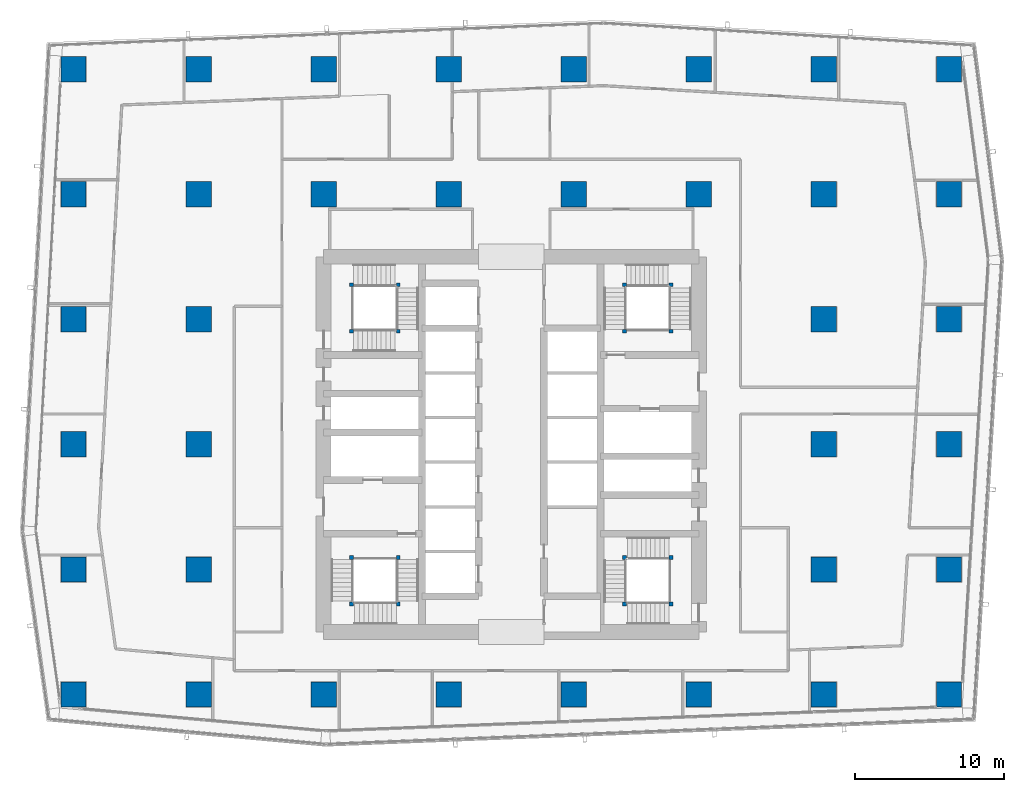
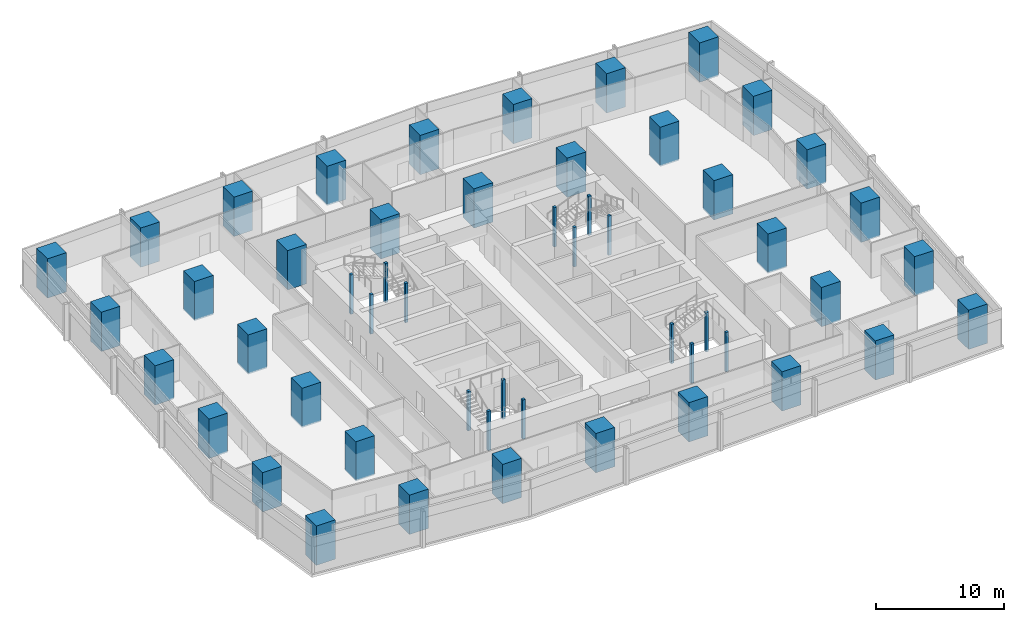
# One storey, part 1 of 40: 52 columns.
"""IFC4 building model written with IfcOpenShell, lengths in metres."""

from ifc_helpers import new_model, si_unit, direction, frame, origin, origin_2d, place, context, subcontext, project, spatial, rectangle, extrude, material, material_profile, profile_set, type_object, element, save


model = new_model("IFC4")

# Units and contexts
model_context = context("Model", 3, precision=1e-05, world=origin(), true_north=direction((0.0, 1.0)))
body_context = subcontext(model_context, "Body", "Model", "MODEL_VIEW")
ifc_project = project(units=[si_unit("LENGTHUNIT", "METRE"), si_unit("AREAUNIT", "SQUARE_METRE"), si_unit("VOLUMEUNIT", "CUBIC_METRE"), si_unit("PLANEANGLEUNIT", "RADIAN"), si_unit("MASSUNIT", "GRAM", prefix="KILO")], contexts=[model_context])

# Site, building, storey
site_placement = place(None, origin())
site = spatial("IfcSite", under=ifc_project, at=site_placement, CompositionType="ELEMENT")
building_placement = place(site_placement, origin())
building = spatial("IfcBuilding", under=site, at=building_placement, Name="Rekha Terrace Tower", CompositionType="ELEMENT")
storey_placement = place(building_placement, frame((0.0, 0.0, 125.300048828125)))
storey = spatial("IfcBuildingStorey", under=building, at=storey_placement, Name="L31", CompositionType="ELEMENT", Elevation=125.300048828125)

# Columns
ifc_material_1 = material(Name="Concrete M70", Category="concrete")
ifc_material_profile_1 = material_profile(ifc_material_1, rectangle(XDim=1.699951171875, YDim=1.699951171875, at=origin_2d()), Name="RC 1700x1700")
ifc_profile_set_1 = profile_set([ifc_material_profile_1], Name="Concrete M70")
column_type_1 = type_object("IfcColumnType", Name="C3 1700x1700 column", PredefinedType="COLUMN", material=ifc_profile_set_1)
for number, where, z_axis, x_axis, name in (
    (1, (8.39990234375, 16.800048828125, 0.0), (0.0, 0.0, 1.0), (1.0, 0.0, 0.0), "Column C3 2/C L31"),
    (2, (8.39990234375, 25.199951171875, 0.0), (0.0, 0.0, 1.0), (1.0, 0.0, 0.0), "Column C3 2/D L31"),
    (3, (8.39990234375, 33.60009765625, 0.0), (0.0, 0.0, 1.0), (1.0, 0.0, 0.0), "Column C3 2/E L31"),
    (4, (8.39990234375, 42.0, 0.0), (0.0, 0.0, 1.0), (1.0, 0.0, 0.0), "Column C3 2/F L31"),
    (5, (8.39990234375, 50.39990234375, 0.0), (0.0, 0.0, 1.0), (1.0, 0.0, 0.0), "Column C3 2/G L31"),
    (6, (8.39990234375, 58.800048828125, 0.0), (0.0, 0.0, 1.0), (1.0, 0.0, 0.0), "Column C3 2/H L31"),
    (7, (16.800048828125, 16.800048828125, 0.0), (0.0, 0.0, 1.0), (1.0, 0.0, 0.0), "Column C3 3/C L31"),
    (8, (16.800048828125, 25.199951171875, 0.0), (0.0, 0.0, 1.0), (1.0, 0.0, 0.0), "Column C3 3/D L31"),
    (9, (16.800048828125, 33.60009765625, 0.0), (0.0, 0.0, 1.0), (1.0, 0.0, 0.0), "Column C3 3/E L31"),
    (10, (16.800048828125, 42.0, 0.0), (0.0, 0.0, 1.0), (1.0, 0.0, 0.0), "Column C3 3/F L31"),
    (11, (16.800048828125, 50.39990234375, 0.0), (0.0, 0.0, 1.0), (1.0, 0.0, 0.0), "Column C3 3/G L31"),
    (12, (16.800048828125, 58.800048828125, 0.0), (0.0, 0.0, 1.0), (1.0, 0.0, 0.0), "Column C3 3/H L31"),
    (13, (25.199951171875, 16.800048828125, 0.0), (0.0, 0.0, 1.0), (1.0, 0.0, 0.0), "Column C3 4/C L31"),
    (14, (25.199951171875, 50.39990234375, 0.0), (0.0, 0.0, 1.0), (1.0, 0.0, 0.0), "Column C3 4/G L31"),
    (15, (25.199951171875, 58.800048828125, 0.0), (0.0, 0.0, 1.0), (1.0, 0.0, 0.0), "Column C3 4/H L31"),
    (16, (33.60009765625, 16.800048828125, 0.0), (0.0, 0.0, 1.0), (1.0, 0.0, 0.0), "Column C3 5/C L31"),
    (17, (33.60009765625, 50.39990234375, 0.0), (0.0, 0.0, 1.0), (1.0, 0.0, 0.0), "Column C3 5/G L31"),
    (18, (33.60009765625, 58.800048828125, 0.0), (0.0, 0.0, 1.0), (1.0, 0.0, 0.0), "Column C3 5/H L31"),
    (19, (42.0, 16.800048828125, 0.0), (0.0, 0.0, 1.0), (1.0, 0.0, 0.0), "Column C3 6/C L31"),
    (20, (42.0, 50.39990234375, 0.0), (0.0, 0.0, 1.0), (1.0, 0.0, 0.0), "Column C3 6/G L31"),
    (21, (42.0, 58.800048828125, 0.0), (0.0, 0.0, 1.0), (1.0, 0.0, 0.0), "Column C3 6/H L31"),
    (22, (50.39990234375, 16.800048828125, 0.0), (0.0, 0.0, 1.0), (1.0, 0.0, 0.0), "Column C3 7/C L31"),
    (23, (50.39990234375, 50.39990234375, 0.0), (0.0, 0.0, 1.0), (1.0, 0.0, 0.0), "Column C3 7/G L31"),
    (24, (50.39990234375, 58.800048828125, 0.0), (0.0, 0.0, 1.0), (1.0, 0.0, 0.0), "Column C3 7/H L31"),
    (25, (58.800048828125, 16.800048828125, 0.0), (0.0, 0.0, 1.0), (1.0, 0.0, 0.0), "Column C3 8/C L31"),
    (26, (58.800048828125, 25.199951171875, 0.0), (0.0, 0.0, 1.0), (1.0, 0.0, 0.0), "Column C3 8/D L31"),
    (27, (58.800048828125, 33.60009765625, 0.0), (0.0, 0.0, 1.0), (1.0, 0.0, 0.0), "Column C3 8/E L31"),
    (28, (58.800048828125, 42.0, 0.0), (0.0, 0.0, 1.0), (1.0, 0.0, 0.0), "Column C3 8/F L31"),
    (29, (58.800048828125, 50.39990234375, 0.0), (0.0, 0.0, 1.0), (1.0, 0.0, 0.0), "Column C3 8/G L31"),
    (30, (58.800048828125, 58.800048828125, 0.0), (0.0, 0.0, 1.0), (1.0, 0.0, 0.0), "Column C3 8/H L31"),
    (31, (67.199951171875, 16.800048828125, 0.0), (0.0, 0.0, 1.0), (1.0, 0.0, 0.0), "Column C3 9/C L31"),
    (32, (67.199951171875, 25.199951171875, 0.0), (0.0, 0.0, 1.0), (1.0, 0.0, 0.0), "Column C3 9/D L31"),
    (33, (67.199951171875, 33.60009765625, 0.0), (0.0, 0.0, 1.0), (1.0, 0.0, 0.0), "Column C3 9/E L31"),
    (34, (67.199951171875, 42.0, 0.0), (0.0, 0.0, 1.0), (1.0, 0.0, 0.0), "Column C3 9/F L31"),
    (35, (67.199951171875, 50.39990234375, 0.0), (0.0, 0.0, 1.0), (1.0, 0.0, 0.0), "Column C3 9/G L31"),
    (36, (67.199951171875, 58.800048828125, 0.0), (0.0, 0.0, 1.0), (1.0, 0.0, 0.0), "Column C3 9/H L31"),
):
    element("IfcColumn", number, at=place(storey_placement, frame(where, z_axis=z_axis, x_axis=x_axis)), inside=storey, type_object=column_type_1, Name=name, PredefinedType="COLUMN", context=body_context, shape_type="SweptSolid", body=[
        extrude(rectangle(XDim=1.699951171875, YDim=1.699951171875, at=origin_2d()), origin(), (0.0, 0.0, 1.0), 3.75),
    ])
ifc_material_2 = material(Name="Concrete M60", Category="concrete")
ifc_material_profile_2 = material_profile(ifc_material_2, rectangle(XDim=0.25, YDim=0.25, at=origin_2d()), Name="RC 250x250")
ifc_profile_set_2 = profile_set([ifc_material_profile_2], Name="Concrete M60")
column_type_2 = type_object("IfcColumnType", Name="NP1 250x250 stair newel post", PredefinedType="COLUMN", material=ifc_profile_set_2)
for number, where, z_axis, x_axis, name in (
    (37, (30.199951171875, 26.0, 0.0), (0.0, 0.0, 1.0), (1.0, 0.0, 0.0), "Stair newel post NP1"),
    (38, (30.199951171875, 22.875, 0.0), (0.0, 0.0, 1.0), (1.0, 0.0, 0.0), "Stair newel post NP1"),
    (39, (27.074951171875, 22.875, 0.0), (0.0, 0.0, 1.0), (1.0, 0.0, 0.0), "Stair newel post NP1"),
    (40, (27.074951171875, 26.0, 0.0), (0.0, 0.0, 1.0), (1.0, 0.0, 0.0), "Stair newel post NP1"),
    (41, (45.39990234375, 41.199951171875, 0.0), (0.0, 0.0, 1.0), (1.0, 0.0, 0.0), "Stair newel post NP1"),
    (42, (45.39990234375, 44.324951171875, 0.0), (0.0, 0.0, 1.0), (1.0, 0.0, 0.0), "Stair newel post NP1"),
    (43, (48.52490234375, 44.324951171875, 0.0), (0.0, 0.0, 1.0), (1.0, 0.0, 0.0), "Stair newel post NP1"),
    (44, (48.52490234375, 41.199951171875, 0.0), (0.0, 0.0, 1.0), (1.0, 0.0, 0.0), "Stair newel post NP1"),
    (45, (48.52490234375, 22.875, 0.0), (0.0, 0.0, 1.0), (1.0, 0.0, 0.0), "Stair newel post NP1"),
    (46, (45.39990234375, 22.875, 0.0), (0.0, 0.0, 1.0), (1.0, 0.0, 0.0), "Stair newel post NP1"),
    (47, (45.39990234375, 26.0, 0.0), (0.0, 0.0, 1.0), (1.0, 0.0, 0.0), "Stair newel post NP1"),
    (48, (48.52490234375, 26.0, 0.0), (0.0, 0.0, 1.0), (1.0, 0.0, 0.0), "Stair newel post NP1"),
    (49, (27.074951171875, 41.199951171875, 0.0), (0.0, 0.0, 1.0), (1.0, 0.0, 0.0), "Stair newel post NP1"),
    (50, (30.199951171875, 41.199951171875, 0.0), (0.0, 0.0, 1.0), (1.0, 0.0, 0.0), "Stair newel post NP1"),
    (51, (30.199951171875, 44.324951171875, 0.0), (0.0, 0.0, 1.0), (1.0, 0.0, 0.0), "Stair newel post NP1"),
    (52, (27.074951171875, 44.324951171875, 0.0), (0.0, 0.0, 1.0), (1.0, 0.0, 0.0), "Stair newel post NP1"),
):
    element("IfcColumn", number, at=place(storey_placement, frame(where, z_axis=z_axis, x_axis=x_axis)), inside=storey, type_object=column_type_2, Name=name, PredefinedType="COLUMN", context=body_context, shape_type="SweptSolid", body=[
        extrude(rectangle(XDim=0.25, YDim=0.25, at=origin_2d()), origin(), (0.0, 0.0, 1.0), 3.75),
    ])

save(model, "model.ifc")
